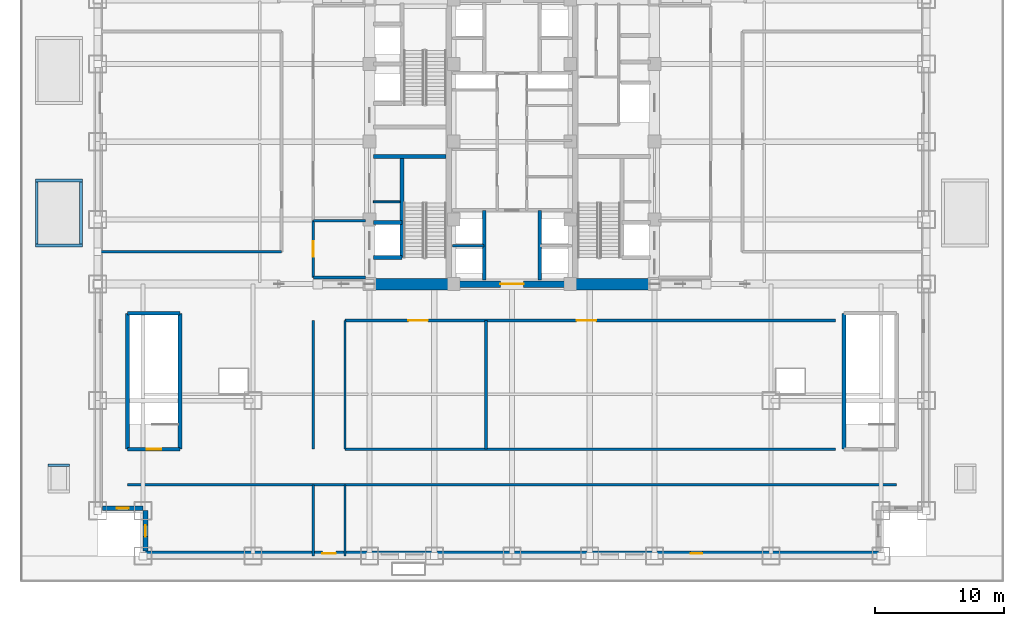
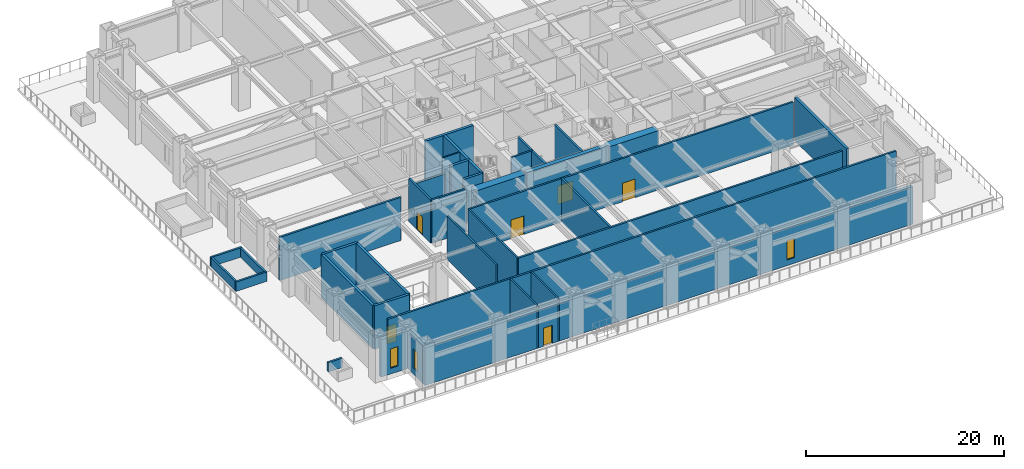
# One storey, part 11 of 21: 36 walls, 6 doors, 3 windows, 9 openings.
"""IFC4 building model written with IfcOpenShell, lengths in metres."""

from ifc_helpers import new_model, si_unit, direction, frame, frame_2d, origin, place, context, subcontext, project, spatial, rectangle, extrude, source, transform, mapped, material, layer, layer_set, type_object, element, fill, save


model = new_model("IFC4")

# Units and contexts
model_context = context("Model", 3, precision=1e-05, world=origin(), true_north=direction((0.0, 1.0)))
body_context = subcontext(model_context, "Body", "Model", "MODEL_VIEW")
ifc_project = project(units=[si_unit("LENGTHUNIT", "METRE"), si_unit("AREAUNIT", "SQUARE_METRE"), si_unit("VOLUMEUNIT", "CUBIC_METRE"), si_unit("PLANEANGLEUNIT", "RADIAN"), si_unit("MASSUNIT", "GRAM", prefix="KILO")], contexts=[model_context])

# Site, building, storey
site_placement = place(None, origin())
site = spatial("IfcSite", under=ifc_project, at=site_placement, CompositionType="ELEMENT")
building_placement = place(site_placement, origin())
building = spatial("IfcBuilding", under=site, at=building_placement, Name="Khorayat Bourse Tower", CompositionType="ELEMENT")
storey_placement = place(building_placement, frame((0.0, 0.0, 27.0)))
storey = spatial("IfcBuildingStorey", under=building, at=storey_placement, Name="L05", CompositionType="ELEMENT", Elevation=27.0)

# Walls
ifc_material_1 = material(Name="Concrete C72/90", Category="concrete")
ifc_layer_1 = layer(ifc_material_1, 0.89990234375)
ifc_layer_set_1 = layer_set([ifc_layer_1], Name="Concrete C72/90")
wall_type_1 = type_object("IfcWallType", Name="WAL-CORE-900", PredefinedType="SHEAR", material=ifc_layer_set_1)
shared_shape_1 = source(origin(), body_context, "Body", "SweptSolid", [
    extrude(rectangle(XDim=5.849853515625, YDim=0.89990234375, at=frame_2d((2.9248046875, 0.0))), origin(), (0.0, 0.0, 1.0), 5.340087890625),
])
for number, where, z_axis, x_axis, name in (
    (1, (-10.699951171875, -11.0, 0.0), (0.0, 0.0, 1.0), (1.0, 0.0, 0.0), "L05 Core Shear Wall PIER-WS"),
    (2, (4.85009765625, -11.0, 0.0), (0.0, 0.0, 1.0), (1.0, 0.0, 0.0), "L05 Core Shear Wall PIER-ES"),
):
    element("IfcWall", number, at=place(storey_placement, frame(where, z_axis=z_axis, x_axis=x_axis)), inside=storey, type_object=wall_type_1, Name=name, PredefinedType="SHEAR", context=body_context, shape_type="MappedRepresentation", body=[
        mapped(shared_shape_1, transform((0.0, 0.0, 0.0), scale=1.0)),
    ])
ifc_material_2 = material(Name="Concrete C50/60", Category="concrete")
ifc_layer_2 = layer(ifc_material_2, 0.300048828125)
ifc_layer_set_2 = layer_set([ifc_layer_2], Name="Concrete C50/60")
wall_type_2 = type_object("IfcWallType", Name="WAL-SHAFT-300", PredefinedType="SHEAR", material=ifc_layer_set_2)
shared_shape_2 = source(origin(), body_context, "Body", "SweptSolid", [
    extrude(rectangle(XDim=5.599853515625, YDim=0.300048828125, at=frame_2d((2.7998046875, 0.0))), origin(), (0.0, 0.0, 1.0), 5.340087890625),
])
wall_1_placement = place(storey_placement, frame((-10.699951171875, -1.14990234375, 0.0), z_axis=(0.0, 0.0, 1.0), x_axis=(1.0, 0.0, 0.0)))
element("IfcWall", 3, at=wall_1_placement, inside=storey, type_object=wall_type_2, Name="L05 Core Shear Wall ST1-DIV", PredefinedType="SHEAR", context=body_context, shape_type="MappedRepresentation", body=[
    mapped(shared_shape_2, transform((0.0, 0.0, 0.0), scale=1.0)),
])

# Wall, opening, door
ifc_material_3 = material(Name="Concrete C52/65", Category="concrete")
ifc_layer_3 = layer(ifc_material_3, 0.5)
ifc_layer_set_3 = layer_set([ifc_layer_3], Name="Concrete C52/65")
wall_type_3 = type_object("IfcWallType", Name="WAL-CORE-500", PredefinedType="SHEAR", material=ifc_layer_set_3)
shared_shape_3 = source(origin(), body_context, "Body", "SweptSolid", [
    extrude(rectangle(XDim=9.2001953125, YDim=0.5, at=frame_2d((4.60009765625, 0.0))), origin(), (0.0, 0.0, 1.0), 5.340087890625),
])
wall_2_placement = place(storey_placement, frame((-4.60009765625, -11.0, 0.0), z_axis=(0.0, 0.0, 1.0), x_axis=(1.0, 0.0, 0.0)))
wall_2 = element("IfcWall", 4, at=wall_2_placement, inside=storey, type_object=wall_type_3, Name="L05 Core Shear Wall CORE-S", PredefinedType="SHEAR", context=body_context, shape_type="MappedRepresentation", body=[
    mapped(shared_shape_3, transform((0.0, 0.0, 0.0), scale=1.0)),
])
shared_shape_4 = source(origin(), body_context, "Body", "SweptSolid", [
    extrude(rectangle(XDim=1.800048828125, YDim=2.25, at=frame_2d((0.89990234375, 1.125))), frame((0.0, 0.260009765625, 0.0), z_axis=(0.0, -1.0, 0.0), x_axis=(1.0, 0.0, 0.0)), (0.0, 0.0, 1.0), 0.52001953125),
])
opening_1_placement = place(wall_2_placement, frame((3.699951171875, 0.0, 0.0)))
opening_1 = element("IfcOpeningElement", 5, at=opening_1_placement, cuts=wall_2, Name="Opening DI-03", PredefinedType="OPENING", context=body_context, shape_type="MappedRepresentation", body=[
    mapped(shared_shape_4, transform((0.0, 0.0, 0.0), scale=1.0)),
])
ifc_material_4 = material(Name="Fire-rated hardwood vision-panel double leaf", Category="wood")
door_type_1 = type_object("IfcDoorType", Name="DR-INT-CORR-1800", OperationType="NOTDEFINED", PredefinedType="DOOR", material=ifc_material_4)
shared_shape_5 = source(origin(), body_context, "Body", "SweptSolid", [
    extrude(rectangle(XDim=1.800048828125, YDim=2.25, at=frame_2d((0.89990234375, 1.125))), frame((0.0, 0.02490234375, 0.0), z_axis=(0.0, -1.0, 0.0), x_axis=(1.0, 0.0, 0.0)), (0.0, 0.0, 1.0), 0.050048828125),
])
door_1_placement = place(opening_1_placement, origin())
door_1 = element("IfcDoor", 6, at=door_1_placement, inside=storey, type_object=door_type_1, Name="L05 Low-Rise Lift Lobby Door", OperationType="SINGLE_SWING_LEFT", OverallHeight=2.25, OverallWidth=1.800048828125, PredefinedType="DOOR", context=body_context, shape_type="MappedRepresentation", body=[
    mapped(shared_shape_5, transform((0.0, 0.0, 0.0), scale=1.0)),
])
fill(opening_1, door_1)

# Wall, opening, window
ifc_material_5 = material(Name="Precast concrete C45/55", Category="concrete")
ifc_layer_4 = layer(ifc_material_5, 0.3798828125)
ifc_layer_set_4 = layer_set([ifc_layer_4], Name="Precast concrete C45/55")
wall_type_4 = type_object("IfcWallType", Name="WAL-EXT-STONE-380", PredefinedType="STANDARD", material=ifc_layer_set_4)
shared_shape_6 = source(origin(), body_context, "Body", "SweptSolid", [
    extrude(rectangle(XDim=3.1201171875, YDim=0.3798828125, at=frame_2d((1.56005859375, 0.0))), origin(), (0.0, 0.0, 1.0), 4.64501953125),
])
wall_3_placement = place(storey_placement, frame((-28.5, -28.31005859375, 0.0), z_axis=(0.0, 0.0, 1.0), x_axis=(-1.0, 0.0, 0.0)))
wall_3 = element("IfcWall", 7, at=wall_3_placement, inside=storey, type_object=wall_type_4, Name="L05 Re-Entrant Notch Limestone Wall SW-H", PredefinedType="STANDARD", context=body_context, shape_type="MappedRepresentation", body=[
    mapped(shared_shape_6, transform((0.0, 0.0, 0.0), scale=1.0)),
])
shared_shape_7 = source(origin(), body_context, "Body", "SweptSolid", [
    extrude(rectangle(XDim=0.89990234375, YDim=2.39990234375, at=frame_2d((0.449951171875, 1.199951171875))), frame((0.0, 0.199951171875, 0.0), z_axis=(0.0, -1.0, 0.0), x_axis=(1.0, 0.0, 0.0)), (0.0, 0.0, 1.0), 0.39990234375),
])
opening_2_placement = place(wall_3_placement, frame((1.110107421875, 0.0, 0.699951171875)))
opening_2 = element("IfcOpeningElement", 8, at=opening_2_placement, cuts=wall_3, Name="Opening WN-03", PredefinedType="OPENING", context=body_context, shape_type="MappedRepresentation", body=[
    mapped(shared_shape_7, transform((0.0, 0.0, 0.0), scale=1.0)),
])
ifc_material_6 = material(Name="Deep-reveal solar-control double glazing", Category="glass")
window_type = type_object("IfcWindowType", Name="WIN-SLOT-900x2400", PartitioningType="SINGLE_PANEL", PredefinedType="WINDOW", material=ifc_material_6)
shared_shape_8 = source(origin(), body_context, "Body", "SweptSolid", [
    extrude(rectangle(XDim=0.89990234375, YDim=2.39990234375, at=frame_2d((0.449951171875, 1.199951171875))), frame((0.0, 0.030029296875, 0.0), z_axis=(0.0, -1.0, 0.0), x_axis=(1.0, 0.0, 0.0)), (0.0, 0.0, 1.0), 0.06005859375),
])
window_1_placement = place(opening_2_placement, origin())
window_1 = element("IfcWindow", 9, at=window_1_placement, inside=storey, type_object=window_type, Name="L05 Facade Window 1", OverallHeight=2.39990234375, OverallWidth=0.89990234375, PartitioningType="SINGLE_PANEL", PredefinedType="WINDOW", context=body_context, shape_type="MappedRepresentation", body=[
    mapped(shared_shape_8, transform((0.0, 0.0, 0.0), scale=1.0)),
])
fill(opening_2, window_1)

wall_4_placement = place(storey_placement, frame((-28.31005859375, -31.6201171875, 0.0), z_axis=(0.0, 0.0, 1.0), x_axis=(0.0, 1.0, 0.0)))
wall_4 = element("IfcWall", 10, at=wall_4_placement, inside=storey, type_object=wall_type_4, Name="L05 Re-Entrant Notch Limestone Wall SW-V", PredefinedType="STANDARD", context=body_context, shape_type="MappedRepresentation", body=[
    mapped(shared_shape_6, transform((0.0, 0.0, 0.0), scale=1.0)),
])
opening_3_placement = place(wall_4_placement, frame((1.110107421875, 0.0, 0.699951171875)))
opening_3 = element("IfcOpeningElement", 11, at=opening_3_placement, cuts=wall_4, Name="Opening WN-03", PredefinedType="OPENING", context=body_context, shape_type="MappedRepresentation", body=[
    mapped(shared_shape_7, transform((0.0, 0.0, 0.0), scale=1.0)),
])
window_2_placement = place(opening_3_placement, origin())
window_2 = element("IfcWindow", 12, at=window_2_placement, inside=storey, type_object=window_type, Name="L05 Facade Window 1", OverallHeight=2.39990234375, OverallWidth=0.89990234375, PartitioningType="SINGLE_PANEL", PredefinedType="WINDOW", context=body_context, shape_type="MappedRepresentation", body=[
    mapped(shared_shape_8, transform((0.0, 0.0, 0.0), scale=1.0)),
])
fill(opening_3, window_2)

# Wall, openings, door, window
shared_shape_9 = source(origin(), body_context, "Body", "SweptSolid", [
    extrude(rectangle(XDim=57.0, YDim=0.3798828125, at=frame_2d((28.5, 0.0))), origin(), (0.0, 0.0, 1.0), 4.64501953125),
])
wall_5_placement = place(storey_placement, frame((-28.5, -31.81005859375, 0.0), z_axis=(0.0, 0.0, 1.0), x_axis=(1.0, 0.0, 0.0)))
wall_5 = element("IfcWall", 13, at=wall_5_placement, inside=storey, type_object=wall_type_4, Name="L05 Plant Perimeter Wall S", PredefinedType="STANDARD", context=body_context, shape_type="MappedRepresentation", body=[
    mapped(shared_shape_9, transform((0.0, 0.0, 0.0), scale=1.0)),
])
shared_shape_10 = source(origin(), body_context, "Body", "SweptSolid", [
    extrude(rectangle(XDim=1.050048828125, YDim=2.25, at=frame_2d((0.52490234375, 1.125))), frame((0.0, 0.199951171875, 0.0), z_axis=(0.0, -1.0, 0.0), x_axis=(1.0, 0.0, 0.0)), (0.0, 0.0, 1.0), 0.39990234375),
])
opening_4_placement = place(wall_5_placement, frame((13.85009765625, 0.0, 0.0)))
opening_4 = element("IfcOpeningElement", 14, at=opening_4_placement, cuts=wall_5, Name="Opening DE-05", PredefinedType="OPENING", context=body_context, shape_type="MappedRepresentation", body=[
    mapped(shared_shape_10, transform((0.0, 0.0, 0.0), scale=1.0)),
])
opening_5_placement = place(wall_5_placement, frame((42.300048828125, 0.0, 0.699951171875)))
opening_5 = element("IfcOpeningElement", 15, at=opening_5_placement, cuts=wall_5, Name="Opening WN-03", PredefinedType="OPENING", context=body_context, shape_type="MappedRepresentation", body=[
    mapped(shared_shape_7, transform((0.0, 0.0, 0.0), scale=1.0)),
])
ifc_material_7 = material(Name="Thermally broken aluminium terrace door", Category="aluminium")
door_type_2 = type_object("IfcDoorType", Name="DR-EXT-TERR-1050", OperationType="NOTDEFINED", PredefinedType="DOOR", material=ifc_material_7)
shared_shape_11 = source(origin(), body_context, "Body", "SweptSolid", [
    extrude(rectangle(XDim=1.050048828125, YDim=2.25, at=frame_2d((0.52490234375, 1.125))), frame((0.0, 0.02490234375, 0.0), z_axis=(0.0, -1.0, 0.0), x_axis=(1.0, 0.0, 0.0)), (0.0, 0.0, 1.0), 0.050048828125),
])
door_2_placement = place(opening_4_placement, origin())
door_2 = element("IfcDoor", 16, at=door_2_placement, inside=storey, type_object=door_type_2, Name="L05 South Roof Garden Door", OperationType="SINGLE_SWING_LEFT", OverallHeight=2.25, OverallWidth=1.050048828125, PredefinedType="DOOR", context=body_context, shape_type="MappedRepresentation", body=[
    mapped(shared_shape_11, transform((0.0, 0.0, 0.0), scale=1.0)),
])
fill(opening_4, door_2)
window_3_placement = place(opening_5_placement, origin())
window_3 = element("IfcWindow", 17, at=window_3_placement, inside=storey, type_object=window_type, Name="L05 Facade Window 3", OverallHeight=2.39990234375, OverallWidth=0.89990234375, PartitioningType="SINGLE_PANEL", PredefinedType="WINDOW", context=body_context, shape_type="MappedRepresentation", body=[
    mapped(shared_shape_8, transform((0.0, 0.0, 0.0), scale=1.0)),
])
fill(opening_5, window_3)

# Walls
ifc_layer_5 = layer(ifc_material_5, 0.219970703125)
ifc_layer_set_5 = layer_set([ifc_layer_5], Name="Precast concrete C45/55")
wall_type_5 = type_object("IfcWallType", Name="WAL-PARAPET-220", PredefinedType="PARAPET", material=ifc_layer_set_5)
shared_shape_12 = source(origin(), body_context, "Body", "SweptSolid", [
    extrude(rectangle(XDim=1.64013671875, YDim=0.219970703125, at=frame_2d((0.820068359375, 0.0))), origin(), (0.0, 0.0, 1.0), 1.14990234375),
])
wall_6_placement = place(storey_placement, frame((-35.820068359375, -24.989990234375, 0.050048828125), z_axis=(0.0, 0.0, 1.0), x_axis=(1.0, 0.0, 0.0)))
element("IfcWall", 18, at=wall_6_placement, inside=storey, type_object=wall_type_5, Name="L05 Roof Opening Upstand Curb HT-ST1-N", PredefinedType="PARAPET", context=body_context, shape_type="MappedRepresentation", body=[
    mapped(shared_shape_12, transform((0.0, 0.0, 0.0), scale=1.0)),
])
shared_shape_13 = source(origin(), body_context, "Body", "SweptSolid", [
    extrude(rectangle(XDim=3.64013671875, YDim=0.219970703125, at=frame_2d((1.820068359375, 0.0))), origin(), (0.0, 0.0, 1.0), 1.14990234375),
])
for number, where, z_axis, x_axis, name in (
    (19, (-36.820068359375, -8.010009765625, 0.050048828125), (0.0, 0.0, 1.0), (1.0, 0.0, 0.0), "L05 Roof Opening Upstand Curb SKY-L05-W-S"),
    (20, (-36.820068359375, -2.989990234375, 0.050048828125), (0.0, 0.0, 1.0), (1.0, 0.0, 0.0), "L05 Roof Opening Upstand Curb SKY-L05-W-N"),
):
    element("IfcWall", number, at=place(storey_placement, frame(where, z_axis=z_axis, x_axis=x_axis)), inside=storey, type_object=wall_type_5, Name=name, PredefinedType="PARAPET", context=body_context, shape_type="MappedRepresentation", body=[
        mapped(shared_shape_13, transform((0.0, 0.0, 0.0), scale=1.0)),
    ])
shared_shape_14 = source(origin(), body_context, "Body", "SweptSolid", [
    extrude(rectangle(XDim=4.7998046875, YDim=0.219970703125, at=frame_2d((2.39990234375, 0.0))), origin(), (0.0, 0.0, 1.0), 1.14990234375),
])
for number, where, z_axis, x_axis, name in (
    (21, (-36.7099609375, -7.89990234375, 0.050048828125), (0.0, 0.0, 1.0), (0.0, 1.0, 0.0), "L05 Roof Opening Upstand Curb SKY-L05-W-W"),
    (22, (-33.2900390625, -7.89990234375, 0.050048828125), (0.0, 0.0, 1.0), (0.0, 1.0, 0.0), "L05 Roof Opening Upstand Curb SKY-L05-W-E"),
):
    element("IfcWall", number, at=place(storey_placement, frame(where, z_axis=z_axis, x_axis=x_axis)), inside=storey, type_object=wall_type_5, Name=name, PredefinedType="PARAPET", context=body_context, shape_type="MappedRepresentation", body=[
        mapped(shared_shape_14, transform((0.0, 0.0, 0.0), scale=1.0)),
    ])
shared_shape_15 = source(origin(), body_context, "Body", "SweptSolid", [
    extrude(rectangle(XDim=7.800048828125, YDim=0.300048828125, at=frame_2d((3.89990234375, 0.0))), origin(), (0.0, 0.0, 1.0), 5.340087890625),
])
wall_7_placement = place(storey_placement, frame((-8.5, -8.949951171875, 0.0), z_axis=(0.0, 0.0, 1.0), x_axis=(0.0, 1.0, 0.0)))
element("IfcWall", 23, at=wall_7_placement, inside=storey, type_object=wall_type_2, Name="L05 Partition WAL-L05-WPIER-SP", PredefinedType="SHEAR", context=body_context, shape_type="MappedRepresentation", body=[
    mapped(shared_shape_15, transform((0.0, 0.0, 0.0), scale=1.0)),
])
shared_shape_16 = source(origin(), body_context, "Body", "SweptSolid", [
    extrude(rectangle(XDim=2.199951171875, YDim=0.300048828125, at=frame_2d((1.10009765625, 0.0))), origin(), (0.0, 0.0, 1.0), 5.340087890625),
])
for number, where, z_axis, x_axis, name in (
    (24, (-10.699951171875, -8.949951171875, 0.0), (0.0, 0.0, 1.0), (1.0, 0.0, 0.0), "L05 Partition WAL-L05-WPIER-FF1S"),
    (25, (-10.699951171875, -6.25, 0.0), (0.0, 0.0, 1.0), (1.0, 0.0, 0.0), "L05 Partition WAL-L05-WPIER-FF1N"),
):
    element("IfcWall", number, at=place(storey_placement, frame(where, z_axis=z_axis, x_axis=x_axis)), inside=storey, type_object=wall_type_2, Name=name, PredefinedType="SHEAR", context=body_context, shape_type="MappedRepresentation", body=[
        mapped(shared_shape_16, transform((0.0, 0.0, 0.0), scale=1.0)),
    ])
ifc_material_8 = material(Name="Gypsum plasterboard twin-frame partition")
ifc_layer_6 = layer(ifc_material_8, 0.14990234375)
ifc_layer_set_6 = layer_set([ifc_layer_6], Name="Gypsum plasterboard twin-frame partition")
wall_type_6 = type_object("IfcWallType", Name="WAL-PART-SUITE-150", PredefinedType="PARTITIONING", material=ifc_layer_set_6)
shared_shape_17 = source(origin(), body_context, "Body", "SweptSolid", [
    extrude(rectangle(XDim=2.050048828125, YDim=0.14990234375, at=frame_2d((1.02490234375, 0.0))), origin(), (0.0, 0.0, 1.0), 5.340087890625),
])
wall_8_placement = place(storey_placement, frame((-10.699951171875, -4.64990234375, 0.0), z_axis=(0.0, 0.0, 1.0), x_axis=(1.0, 0.0, 0.0)))
element("IfcWall", 26, at=wall_8_placement, inside=storey, type_object=wall_type_6, Name="L05 Partition WAL-L05-WSRV-S0", PredefinedType="PARTITIONING", context=body_context, shape_type="MappedRepresentation", body=[
    mapped(shared_shape_17, transform((0.0, 0.0, 0.0), scale=1.0)),
])
ifc_material_9 = material(Name="Aerated concrete blockwork", Category="masonry")
ifc_layer_7 = layer(ifc_material_9, 0.219970703125)
ifc_layer_set_7 = layer_set([ifc_layer_7], Name="Aerated concrete blockwork")
wall_type_7 = type_object("IfcWallType", Name="WAL-PART-FF-220", PredefinedType="PARTITIONING", material=ifc_layer_set_7)
shared_shape_18 = source(origin(), body_context, "Body", "SweptSolid", [
    extrude(rectangle(XDim=4.050048828125, YDim=0.219970703125, at=frame_2d((2.02490234375, 0.0))), origin(), (0.0, 0.0, 1.0), 5.340087890625),
])
wall_9_placement = place(storey_placement, frame((-15.35009765625, -10.5, 0.0), z_axis=(0.0, 0.0, 1.0), x_axis=(1.0, 0.0, 0.0)))
element("IfcWall", 27, at=wall_9_placement, inside=storey, type_object=wall_type_7, Name="L05 Partition WAL-L05-FFLW-S", PredefinedType="PARTITIONING", context=body_context, shape_type="MappedRepresentation", body=[
    mapped(shared_shape_18, transform((0.0, 0.0, 0.0), scale=1.0)),
])
shared_shape_19 = source(origin(), body_context, "Body", "SweptSolid", [
    extrude(rectangle(XDim=4.050048828125, YDim=0.219970703125, at=frame_2d((2.02490234375, 0.0))), origin(), (0.0, 0.0, 1.0), 4.485107421875),
])
wall_10_placement = place(storey_placement, frame((-15.35009765625, -6.10009765625, 0.0), z_axis=(0.0, 0.0, 1.0), x_axis=(1.0, 0.0, 0.0)))
element("IfcWall", 28, at=wall_10_placement, inside=storey, type_object=wall_type_7, Name="L05 Partition WAL-L05-FFLW-N", PredefinedType="PARTITIONING", context=body_context, shape_type="MappedRepresentation", body=[
    mapped(shared_shape_19, transform((0.0, 0.0, 0.0), scale=1.0)),
])

# Wall, opening, door
shared_shape_20 = source(origin(), body_context, "Body", "SweptSolid", [
    extrude(rectangle(XDim=4.39990234375, YDim=0.219970703125, at=frame_2d((2.199951171875, 0.0))), origin(), (0.0, 0.0, 1.0), 5.340087890625),
])
wall_11_placement = place(storey_placement, frame((-15.35009765625, -10.5, 0.0), z_axis=(0.0, 0.0, 1.0), x_axis=(0.0, 1.0, 0.0)))
wall_11 = element("IfcWall", 29, at=wall_11_placement, inside=storey, type_object=wall_type_7, Name="L05 Partition WAL-L05-FFLW-W", PredefinedType="PARTITIONING", context=body_context, shape_type="MappedRepresentation", body=[
    mapped(shared_shape_20, transform((0.0, 0.0, 0.0), scale=1.0)),
])
shared_shape_21 = source(origin(), body_context, "Body", "SweptSolid", [
    extrude(rectangle(XDim=1.199951171875, YDim=2.199951171875, at=frame_2d((0.60009765625, 1.10009765625))), frame((0.0, 0.119873046875, 0.0), z_axis=(0.0, -1.0, 0.0), x_axis=(1.0, 0.0, 0.0)), (0.0, 0.0, 1.0), 0.239990234375),
])
opening_6_placement = place(wall_11_placement, frame((1.60009765625, 0.0, 0.0)))
opening_6 = element("IfcOpeningElement", 30, at=opening_6_placement, cuts=wall_11, Name="Opening DI-02", PredefinedType="OPENING", context=body_context, shape_type="MappedRepresentation", body=[
    mapped(shared_shape_21, transform((0.0, 0.0, 0.0), scale=1.0)),
])
ifc_material_10 = material(Name="Fire-rated steel double-seal leaf", Category="steel")
door_type_3 = type_object("IfcDoorType", Name="DR-INT-FFLOBBY-1200", OperationType="NOTDEFINED", PredefinedType="DOOR", material=ifc_material_10)
shared_shape_22 = source(origin(), body_context, "Body", "SweptSolid", [
    extrude(rectangle(XDim=1.199951171875, YDim=2.199951171875, at=frame_2d((0.60009765625, 1.10009765625))), frame((0.0, 0.02490234375, 0.0), z_axis=(0.0, -1.0, 0.0), x_axis=(1.0, 0.0, 0.0)), (0.0, 0.0, 1.0), 0.050048828125),
])
door_3_placement = place(opening_6_placement, origin())
door_3 = element("IfcDoor", 31, at=door_3_placement, inside=storey, type_object=door_type_3, Name="L05 West Firefighting Lobby Door", OperationType="SINGLE_SWING_LEFT", OverallHeight=2.199951171875, OverallWidth=1.199951171875, PredefinedType="DOOR", context=body_context, shape_type="MappedRepresentation", body=[
    mapped(shared_shape_22, transform((0.0, 0.0, 0.0), scale=1.0)),
])
fill(opening_6, door_3)

# Walls
shared_shape_23 = source(origin(), body_context, "Body", "SweptSolid", [
    extrude(rectangle(XDim=5.39990234375, YDim=0.25, at=frame_2d((2.699951171875, 0.0))), origin(), (0.0, 0.0, 1.0), 5.340087890625),
])
for number, where, z_axis, x_axis, name in (
    (32, (-2.14990234375, -10.699951171875, 0.0), (0.0, 0.0, 1.0), (0.0, 1.0, 0.0), "L05 Partition WAL-L05-B1-W"),
    (33, (2.14990234375, -10.699951171875, 0.0), (0.0, 0.0, 1.0), (0.0, 1.0, 0.0), "L05 Partition WAL-L05-B1-E"),
):
    element("IfcWall", number, at=place(storey_placement, frame(where, z_axis=z_axis, x_axis=x_axis)), inside=storey, type_object=wall_type_2, Name=name, PredefinedType="SHEAR", context=body_context, shape_type="MappedRepresentation", body=[
        mapped(shared_shape_23, transform((0.0, 0.0, 0.0), scale=1.0)),
    ])
shared_shape_24 = source(origin(), body_context, "Body", "SweptSolid", [
    extrude(rectangle(XDim=2.4501953125, YDim=0.199951171875, at=frame_2d((1.22509765625, 0.0))), origin(), (0.0, 0.0, 1.0), 5.340087890625),
])
wall_12_placement = place(storey_placement, frame((-4.60009765625, -8.050048828125, 0.0), z_axis=(0.0, 0.0, 1.0), x_axis=(1.0, 0.0, 0.0)))
element("IfcWall", 34, at=wall_12_placement, inside=storey, type_object=wall_type_2, Name="L05 Partition WAL-L05-B1-MW", PredefinedType="SHEAR", context=body_context, shape_type="MappedRepresentation", body=[
    mapped(shared_shape_24, transform((0.0, 0.0, 0.0), scale=1.0)),
])

# Wall, opening, door
shared_shape_25 = source(origin(), body_context, "Body", "SweptSolid", [
    extrude(rectangle(XDim=4.050048828125, YDim=0.300048828125, at=frame_2d((2.02490234375, 0.0))), origin(), (0.0, 0.0, 1.0), 5.340087890625),
])
wall_13_placement = place(storey_placement, frame((-29.699951171875, -23.75, 0.0), z_axis=(0.0, 0.0, 1.0), x_axis=(1.0, 0.0, 0.0)))
wall_13 = element("IfcWall", 35, at=wall_13_placement, inside=storey, type_object=wall_type_2, Name="L05 Partition WAL-L05-STP1-S", PredefinedType="SHEAR", context=body_context, shape_type="MappedRepresentation", body=[
    mapped(shared_shape_25, transform((0.0, 0.0, 0.0), scale=1.0)),
])
shared_shape_26 = source(origin(), body_context, "Body", "SweptSolid", [
    extrude(rectangle(XDim=1.10009765625, YDim=2.199951171875, at=frame_2d((0.550048828125, 1.10009765625))), frame((0.0, 0.159912109375, 0.0), z_axis=(0.0, -1.0, 0.0), x_axis=(1.0, 0.0, 0.0)), (0.0, 0.0, 1.0), 0.320068359375),
])
opening_7_placement = place(wall_13_placement, frame((1.5, 0.0, 0.0)))
opening_7 = element("IfcOpeningElement", 36, at=opening_7_placement, cuts=wall_13, Name="Opening DI-01", PredefinedType="OPENING", context=body_context, shape_type="MappedRepresentation", body=[
    mapped(shared_shape_26, transform((0.0, 0.0, 0.0), scale=1.0)),
])
ifc_material_11 = material(Name="Fire-rated steel acoustic leaf", Category="steel")
door_type_4 = type_object("IfcDoorType", Name="DR-INT-STAIR-1100", OperationType="NOTDEFINED", PredefinedType="DOOR", material=ifc_material_11)
shared_shape_27 = source(origin(), body_context, "Body", "SweptSolid", [
    extrude(rectangle(XDim=1.10009765625, YDim=2.199951171875, at=frame_2d((0.550048828125, 1.10009765625))), frame((0.0, 0.02490234375, 0.0), z_axis=(0.0, -1.0, 0.0), x_axis=(1.0, 0.0, 0.0)), (0.0, 0.0, 1.0), 0.050048828125),
])
door_4_placement = place(opening_7_placement, origin())
door_4 = element("IfcDoor", 37, at=door_4_placement, inside=storey, type_object=door_type_4, Name="L05 Stair P1 Arrival Door", OperationType="SINGLE_SWING_LEFT", OverallHeight=2.199951171875, OverallWidth=1.10009765625, PredefinedType="DOOR", context=body_context, shape_type="MappedRepresentation", body=[
    mapped(shared_shape_27, transform((0.0, 0.0, 0.0), scale=1.0)),
])
fill(opening_7, door_4)

# Walls
wall_14_placement = place(storey_placement, frame((-29.699951171875, -13.25, 0.0), z_axis=(0.0, 0.0, 1.0), x_axis=(1.0, 0.0, 0.0)))
element("IfcWall", 38, at=wall_14_placement, inside=storey, type_object=wall_type_2, Name="L05 Partition WAL-L05-STP1-N", PredefinedType="SHEAR", context=body_context, shape_type="MappedRepresentation", body=[
    mapped(shared_shape_25, transform((0.0, 0.0, 0.0), scale=1.0)),
])
shared_shape_28 = source(origin(), body_context, "Body", "SweptSolid", [
    extrude(rectangle(XDim=10.5, YDim=0.300048828125, at=frame_2d((5.25, 0.0))), origin(), (0.0, 0.0, 1.0), 5.340087890625),
])
for number, where, z_axis, x_axis, name in (
    (39, (-29.699951171875, -23.75, 0.0), (0.0, 0.0, 1.0), (0.0, 1.0, 0.0), "L05 Partition WAL-L05-STP1-W"),
    (40, (-25.64990234375, -23.75, 0.0), (0.0, 0.0, 1.0), (0.0, 1.0, 0.0), "L05 Partition WAL-L05-STP1-E"),
    (41, (25.64990234375, -23.75, 0.0), (0.0, 0.0, 1.0), (0.0, 1.0, 0.0), "L05 Partition WAL-L05-STP2-W"),
):
    element("IfcWall", number, at=place(storey_placement, frame(where, z_axis=z_axis, x_axis=x_axis)), inside=storey, type_object=wall_type_2, Name=name, PredefinedType="SHEAR", context=body_context, shape_type="MappedRepresentation", body=[
        mapped(shared_shape_28, transform((0.0, 0.0, 0.0), scale=1.0)),
    ])
shared_shape_29 = source(origin(), body_context, "Body", "SweptSolid", [
    extrude(rectangle(XDim=9.949951171875, YDim=0.219970703125, at=frame_2d((4.97509765625, 0.0))), origin(), (0.0, 0.0, 1.0), 5.340087890625),
])
wall_15_placement = place(storey_placement, frame((-2.0, -23.75, 0.0), z_axis=(0.0, 0.0, 1.0), x_axis=(0.0, 1.0, 0.0)))
element("IfcWall", 42, at=wall_15_placement, inside=storey, type_object=wall_type_7, Name="L05 Partition WAL-L05-PLS-DIV", PredefinedType="PARTITIONING", context=body_context, shape_type="MappedRepresentation", body=[
    mapped(shared_shape_29, transform((0.0, 0.0, 0.0), scale=1.0)),
])

# Wall, openings, doors
shared_shape_30 = source(origin(), body_context, "Body", "SweptSolid", [
    extrude(rectangle(XDim=37.89990234375, YDim=0.219970703125, at=frame_2d((18.949951171875, 0.0))), origin(), (0.0, 0.0, 1.0), 5.340087890625),
])
wall_16_placement = place(storey_placement, frame((-12.89990234375, -13.800048828125, 0.0), z_axis=(0.0, 0.0, 1.0), x_axis=(1.0, 0.0, 0.0)))
wall_16 = element("IfcWall", 43, at=wall_16_placement, inside=storey, type_object=wall_type_7, Name="L05 Partition WAL-L05-PLS-N", PredefinedType="PARTITIONING", context=body_context, shape_type="MappedRepresentation", body=[
    mapped(shared_shape_30, transform((0.0, 0.0, 0.0), scale=1.0)),
])
shared_shape_31 = source(origin(), body_context, "Body", "SweptSolid", [
    extrude(rectangle(XDim=1.5, YDim=2.300048828125, at=frame_2d((0.75, 1.14990234375))), frame((0.0, 0.119873046875, 0.0), z_axis=(0.0, -1.0, 0.0), x_axis=(1.0, 0.0, 0.0)), (0.0, 0.0, 1.0), 0.239990234375),
])
opening_8_placement = place(wall_16_placement, frame((4.89990234375, 0.0, 0.0)))
opening_8 = element("IfcOpeningElement", 44, at=opening_8_placement, cuts=wall_16, Name="Opening DI-07", PredefinedType="OPENING", context=body_context, shape_type="MappedRepresentation", body=[
    mapped(shared_shape_31, transform((0.0, 0.0, 0.0), scale=1.0)),
])
opening_9_placement = place(wall_16_placement, frame((17.89990234375, 0.0, 0.0)))
opening_9 = element("IfcOpeningElement", 45, at=opening_9_placement, cuts=wall_16, Name="Opening DI-07", PredefinedType="OPENING", context=body_context, shape_type="MappedRepresentation", body=[
    mapped(shared_shape_31, transform((0.0, 0.0, 0.0), scale=1.0)),
])
ifc_material_12 = material(Name="Louvred fire-rated steel plant double door", Category="steel")
door_type_5 = type_object("IfcDoorType", Name="DR-INT-PLANT-1500", OperationType="NOTDEFINED", PredefinedType="DOOR", material=ifc_material_12)
shared_shape_32 = source(origin(), body_context, "Body", "SweptSolid", [
    extrude(rectangle(XDim=1.5, YDim=2.300048828125, at=frame_2d((0.75, 1.14990234375))), frame((0.0, 0.02490234375, 0.0), z_axis=(0.0, -1.0, 0.0), x_axis=(1.0, 0.0, 0.0)), (0.0, 0.0, 1.0), 0.050048828125),
])
door_5_placement = place(opening_8_placement, origin())
door_5 = element("IfcDoor", 46, at=door_5_placement, inside=storey, type_object=door_type_5, Name="L05 Chiller Plant Door", OperationType="SINGLE_SWING_LEFT", OverallHeight=2.300048828125, OverallWidth=1.5, PredefinedType="DOOR", context=body_context, shape_type="MappedRepresentation", body=[
    mapped(shared_shape_32, transform((0.0, 0.0, 0.0), scale=1.0)),
])
fill(opening_8, door_5)
door_6_placement = place(opening_9_placement, origin())
door_6 = element("IfcDoor", 47, at=door_6_placement, inside=storey, type_object=door_type_5, Name="L05 Pump Plant Door", OperationType="SINGLE_SWING_RIGHT", OverallHeight=2.300048828125, OverallWidth=1.5, PredefinedType="DOOR", context=body_context, shape_type="MappedRepresentation", body=[
    mapped(shared_shape_32, transform((0.0, 0.0, 0.0), scale=1.0)),
])
fill(opening_9, door_6)

# Walls
wall_17_placement = place(storey_placement, frame((-12.89990234375, -23.75, 0.0), z_axis=(0.0, 0.0, 1.0), x_axis=(1.0, 0.0, 0.0)))
element("IfcWall", 48, at=wall_17_placement, inside=storey, type_object=wall_type_7, Name="L05 Partition WAL-L05-STPW-N", PredefinedType="PARTITIONING", context=body_context, shape_type="MappedRepresentation", body=[
    mapped(shared_shape_30, transform((0.0, 0.0, 0.0), scale=1.0)),
])
shared_shape_33 = source(origin(), body_context, "Body", "SweptSolid", [
    extrude(rectangle(XDim=59.39990234375, YDim=0.219970703125, at=frame_2d((29.699951171875, 0.0))), origin(), (0.0, 0.0, 1.0), 5.340087890625),
])
wall_18_placement = place(storey_placement, frame((-29.699951171875, -26.5, 0.0), z_axis=(0.0, 0.0, 1.0), x_axis=(1.0, 0.0, 0.0)))
element("IfcWall", 49, at=wall_18_placement, inside=storey, type_object=wall_type_7, Name="L05 Partition WAL-L05-STPW-S", PredefinedType="PARTITIONING", context=body_context, shape_type="MappedRepresentation", body=[
    mapped(shared_shape_33, transform((0.0, 0.0, 0.0), scale=1.0)),
])
shared_shape_34 = source(origin(), body_context, "Body", "SweptSolid", [
    extrude(rectangle(XDim=14.199951171875, YDim=0.219970703125, at=frame_2d((7.10009765625, 0.0))), origin(), (0.0, 0.0, 1.0), 5.340087890625),
])
wall_19_placement = place(storey_placement, frame((-32.0, -8.5, 0.0), z_axis=(0.0, 0.0, 1.0), x_axis=(1.0, 0.0, 0.0)))
element("IfcWall", 50, at=wall_19_placement, inside=storey, type_object=wall_type_7, Name="L05 Partition WAL-L05-PLW-S", PredefinedType="PARTITIONING", context=body_context, shape_type="MappedRepresentation", body=[
    mapped(shared_shape_34, transform((0.0, 0.0, 0.0), scale=1.0)),
])
ifc_material_13 = material(Name="Gypsum plasterboard acoustic stud wall")
ifc_layer_8 = layer(ifc_material_13, 0.179931640625)
ifc_layer_set_8 = layer_set([ifc_layer_8], Name="Gypsum plasterboard acoustic stud wall")
wall_type_8 = type_object("IfcWallType", Name="WAL-PART-CORR-180", PredefinedType="PARTITIONING", material=ifc_layer_set_8)
shared_shape_35 = source(origin(), body_context, "Body", "SweptSolid", [
    extrude(rectangle(XDim=5.5, YDim=0.179931640625, at=frame_2d((2.75, 0.0))), origin(), (0.0, 0.0, 1.0), 5.340087890625),
])
for number, where, z_axis, x_axis, name in (
    (51, (-15.35009765625, -32.0, 0.0), (0.0, 0.0, 1.0), (0.0, 1.0, 0.0), "L05 Partition WAL-L05-TCORRS-W"),
    (52, (-12.89990234375, -32.0, 0.0), (0.0, 0.0, 1.0), (0.0, 1.0, 0.0), "L05 Partition WAL-L05-TCORRS-E"),
):
    element("IfcWall", number, at=place(storey_placement, frame(where, z_axis=z_axis, x_axis=x_axis)), inside=storey, type_object=wall_type_8, Name=name, PredefinedType="PARTITIONING", context=body_context, shape_type="MappedRepresentation", body=[
        mapped(shared_shape_35, transform((0.0, 0.0, 0.0), scale=1.0)),
    ])
shared_shape_36 = source(origin(), body_context, "Body", "SweptSolid", [
    extrude(rectangle(XDim=9.949951171875, YDim=0.179931640625, at=frame_2d((4.97509765625, 0.0))), origin(), (0.0, 0.0, 1.0), 5.340087890625),
])
for number, where, z_axis, x_axis, name in (
    (53, (-15.35009765625, -23.75, 0.0), (0.0, 0.0, 1.0), (0.0, 1.0, 0.0), "L05 Partition WAL-L05-TCORRS-W2"),
    (54, (-12.89990234375, -23.75, 0.0), (0.0, 0.0, 1.0), (0.0, 1.0, 0.0), "L05 Partition WAL-L05-TCORRS-E2"),
):
    element("IfcWall", number, at=place(storey_placement, frame(where, z_axis=z_axis, x_axis=x_axis)), inside=storey, type_object=wall_type_8, Name=name, PredefinedType="PARTITIONING", context=body_context, shape_type="MappedRepresentation", body=[
        mapped(shared_shape_36, transform((0.0, 0.0, 0.0), scale=1.0)),
    ])

save(model, "model.ifc")
